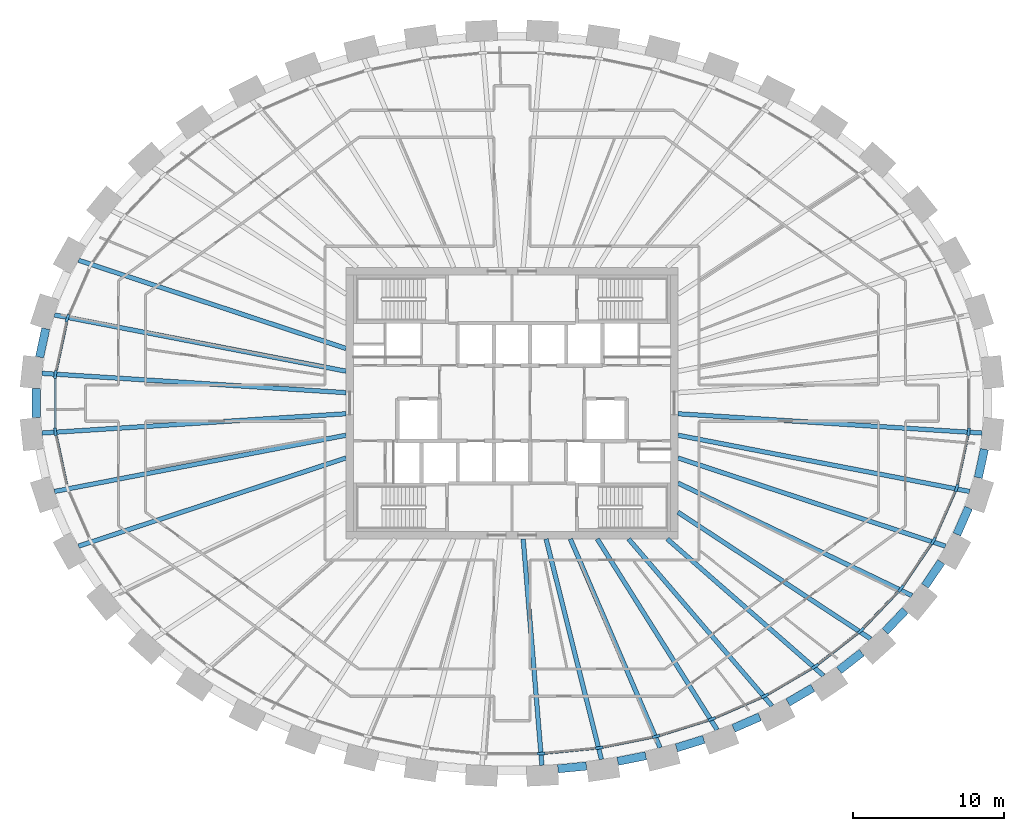
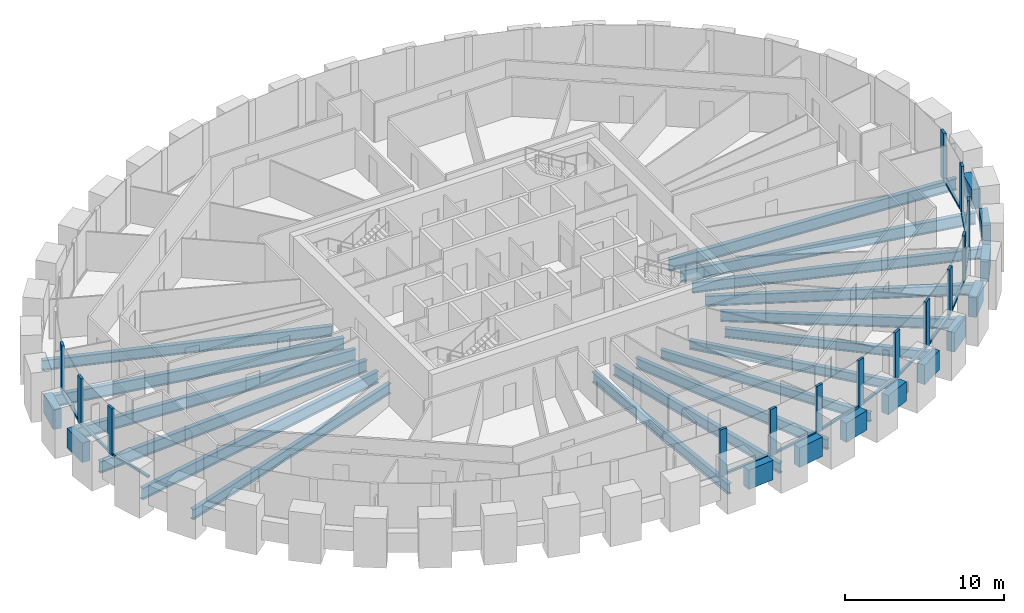
# One storey, part 2 of 12: 29 beams, 27 members, 1 element without a shape of its own.
"""IFC4 building model written with IfcOpenShell, lengths in metres."""

from ifc_helpers import new_model, si_unit, direction, frame, origin, origin_2d, place, context, subcontext, project, spatial, rectangle, i_section, extrude, source, transform, mapped, material, material_profile, profile_set, type_object, element, aggregate, save


model = new_model("IFC4")

# Units and contexts
model_context = context("Model", 3, precision=1e-05, world=origin(), true_north=direction((0.0, 1.0)))
body_context = subcontext(model_context, "Body", "Model", "MODEL_VIEW")
ifc_project = project(units=[si_unit("LENGTHUNIT", "METRE"), si_unit("AREAUNIT", "SQUARE_METRE"), si_unit("VOLUMEUNIT", "CUBIC_METRE"), si_unit("PLANEANGLEUNIT", "RADIAN"), si_unit("MASSUNIT", "GRAM", prefix="KILO")], contexts=[model_context])

# Site, building, storey
site_placement = place(None, origin())
site = spatial("IfcSite", under=ifc_project, at=site_placement, CompositionType="ELEMENT")
building_placement = place(site_placement, origin())
building = spatial("IfcBuilding", under=site, at=building_placement, Name="Embergate Tower", CompositionType="ELEMENT")
storey_placement = place(building_placement, frame((0.0, 0.0, 285.10009765625)))
storey = spatial("IfcBuildingStorey", under=building, at=storey_placement, Name="L66", CompositionType="ELEMENT", Elevation=285.10009765625)

# Beams
ifc_material_1 = material(Name="Concrete C60", Category="concrete")
ifc_material_profile_1 = material_profile(ifc_material_1, rectangle(XDim=0.550048828125, YDim=1.5, at=origin_2d()), Name="RC 550x1500")
ifc_profile_set_1 = profile_set([ifc_material_profile_1], Name="Concrete C60")
beam_type_1 = type_object("IfcBeamType", Name="Spandrel beam RC 550x1500 C60", PredefinedType="BEAM", material=ifc_profile_set_1)
shared_shape_1 = source(origin(), body_context, "Body", "SweptSolid", [
    extrude(rectangle(XDim=0.550048828125, YDim=1.5, at=origin_2d()), origin(), (0.0, 0.0, 1.0), 1.927978515625),
])
for number, where, z_axis, x_axis, name in (
    (1, (-30.9150390625, 4.93701171875, 0.0), (-0.210073860291, -0.97768551857, 0.0), (0.97768551857, -0.210073860291, 0.0), "SPN-L66-20"),
    (2, (30.9150390625, -4.93701171875, 0.0), (0.210073860291, 0.97768551857, 0.0), (-0.97768551857, 0.210073860291, 0.0), "SPN-L66-42"),
):
    element("IfcBeam", number, at=place(storey_placement, frame(where, z_axis=z_axis, x_axis=x_axis)), inside=storey, type_object=beam_type_1, Name=name, PredefinedType="BEAM", context=body_context, shape_type="MappedRepresentation", body=[
        mapped(shared_shape_1, transform((0.0, 0.0, 0.0))),
    ])
shared_shape_2 = source(origin(), body_context, "Body", "SweptSolid", [
    extrude(rectangle(XDim=0.550048828125, YDim=1.5, at=origin_2d()), origin(), (0.0, 0.0, 1.0), 1.924560546875),
])
beam_1_placement = place(storey_placement, frame((29.4951171875, -8.697021484375, 0.0), z_axis=(0.402156084764, 0.91557112421, 0.0), x_axis=(-0.91557112421, 0.402156084764, 0.0)))
element("IfcBeam", 3, at=beam_1_placement, inside=storey, type_object=beam_type_1, Name="SPN-L66-41", PredefinedType="BEAM", context=body_context, shape_type="MappedRepresentation", body=[
    mapped(shared_shape_2, transform((0.0, 0.0, 0.0))),
])
shared_shape_3 = source(origin(), body_context, "Body", "SweptSolid", [
    extrude(rectangle(XDim=0.550048828125, YDim=1.5, at=origin_2d()), origin(), (0.0, 0.0, 1.0), 1.91455078125),
])
beam_2_placement = place(storey_placement, frame((27.384033203125, -12.10791015625, 0.0), z_axis=(0.562473939822, 0.826815013785, 0.0), x_axis=(-0.826815013785, 0.562473939822, 0.0)))
element("IfcBeam", 4, at=beam_2_placement, inside=storey, type_object=beam_type_1, Name="SPN-L66-40", PredefinedType="BEAM", context=body_context, shape_type="MappedRepresentation", body=[
    mapped(shared_shape_3, transform((0.0, 0.0, 0.0))),
])
shared_shape_4 = source(origin(), body_context, "Body", "SweptSolid", [
    extrude(rectangle(XDim=0.550048828125, YDim=1.5, at=origin_2d()), origin(), (0.0, 0.0, 1.0), 1.913330078125),
])
beam_3_placement = place(storey_placement, frame((24.743896484375, -15.1259765625, 0.0), z_axis=(0.690454502374, 0.723375822206, 0.0), x_axis=(-0.723375822206, 0.690454502374, 0.0)))
element("IfcBeam", 5, at=beam_3_placement, inside=storey, type_object=beam_type_1, Name="SPN-L66-39", PredefinedType="BEAM", context=body_context, shape_type="MappedRepresentation", body=[
    mapped(shared_shape_4, transform((0.0, 0.0, 0.0))),
])
shared_shape_5 = source(origin(), body_context, "Body", "SweptSolid", [
    extrude(rectangle(XDim=0.550048828125, YDim=1.5, at=origin_2d()), origin(), (0.0, 0.0, 1.0), 1.907958984375),
])
beam_4_placement = place(storey_placement, frame((21.68408203125, -17.7099609375, 0.0), z_axis=(0.788241602778, 0.615365887623, 0.0), x_axis=(-0.615365887623, 0.788241602778, 0.0)))
element("IfcBeam", 6, at=beam_4_placement, inside=storey, type_object=beam_type_1, Name="SPN-L66-38", PredefinedType="BEAM", context=body_context, shape_type="MappedRepresentation", body=[
    mapped(shared_shape_5, transform((0.0, 0.0, 0.0))),
])
shared_shape_6 = source(origin(), body_context, "Body", "SweptSolid", [
    extrude(rectangle(XDim=0.550048828125, YDim=1.5, at=origin_2d()), origin(), (0.0, 0.0, 1.0), 1.90234375),
])
beam_5_placement = place(storey_placement, frame((18.2958984375, -19.837890625, 0.0), z_axis=(0.862145280572, 0.506661144343, 0.0), x_axis=(-0.506661144343, 0.862145280572, 0.0)))
element("IfcBeam", 7, at=beam_5_placement, inside=storey, type_object=beam_type_1, Name="SPN-L66-37", PredefinedType="BEAM", context=body_context, shape_type="MappedRepresentation", body=[
    mapped(shared_shape_6, transform((0.0, 0.0, 0.0))),
])
shared_shape_7 = source(origin(), body_context, "Body", "SweptSolid", [
    extrude(rectangle(XDim=0.550048828125, YDim=1.5, at=origin_2d()), origin(), (0.0, 0.0, 1.0), 1.89990234375),
])
beam_6_placement = place(storey_placement, frame((14.68408203125, -21.553955078125, 0.0), z_axis=(0.916289991501, 0.400515482192, 0.0), x_axis=(-0.400515482192, 0.916289991501, 0.0)))
element("IfcBeam", 8, at=beam_6_placement, inside=storey, type_object=beam_type_1, Name="SPN-L66-36", PredefinedType="BEAM", context=body_context, shape_type="MappedRepresentation", body=[
    mapped(shared_shape_7, transform((0.0, 0.0, 0.0))),
])
shared_shape_8 = source(origin(), body_context, "Body", "SweptSolid", [
    extrude(rectangle(XDim=0.550048828125, YDim=1.5, at=origin_2d()), origin(), (0.0, 0.0, 1.0), 1.898681640625),
])
beam_7_placement = place(storey_placement, frame((10.904052734375, -22.85205078125, 0.0), z_axis=(0.954868123024, 0.297030078667, 0.0), x_axis=(-0.297030078667, 0.954868123024, 0.0)))
element("IfcBeam", 9, at=beam_7_placement, inside=storey, type_object=beam_type_1, Name="SPN-L66-35", PredefinedType="BEAM", context=body_context, shape_type="MappedRepresentation", body=[
    mapped(shared_shape_8, transform((0.0, 0.0, 0.0))),
])
shared_shape_9 = source(origin(), body_context, "Body", "SweptSolid", [
    extrude(rectangle(XDim=0.550048828125, YDim=1.5, at=origin_2d()), origin(), (0.0, 0.0, 1.0), 1.895751953125),
])
beam_8_placement = place(storey_placement, frame((7.010009765625, -23.743896484375, 0.0), z_axis=(0.980575722075, 0.196140901592, 0.0), x_axis=(-0.196140901592, 0.980575722075, 0.0)))
element("IfcBeam", 10, at=beam_8_placement, inside=storey, type_object=beam_type_1, Name="SPN-L66-34", PredefinedType="BEAM", context=body_context, shape_type="MappedRepresentation", body=[
    mapped(shared_shape_9, transform((0.0, 0.0, 0.0))),
])
shared_shape_10 = source(origin(), body_context, "Body", "SweptSolid", [
    extrude(rectangle(XDim=0.550048828125, YDim=1.5, at=origin_2d()), origin(), (0.0, 0.0, 1.0), 1.896240234375),
])
beam_9_placement = place(storey_placement, frame((3.0458984375, -24.239990234375, 0.0), z_axis=(0.995176416472, 0.098101478571, 0.0), x_axis=(-0.098101478571, 0.995176416472, 0.0)))
element("IfcBeam", 11, at=beam_9_placement, inside=storey, type_object=beam_type_1, Name="SPN-L66-33", PredefinedType="BEAM", context=body_context, shape_type="MappedRepresentation", body=[
    mapped(shared_shape_10, transform((0.0, 0.0, 0.0))),
])
shared_shape_11 = source(origin(), body_context, "Body", "SweptSolid", [
    extrude(rectangle(XDim=0.550048828125, YDim=1.5, at=origin_2d()), origin(), (0.0, 0.0, 1.0), 1.92822265625),
])
beam_10_placement = place(storey_placement, frame((-31.5419921875, 0.964111328125, 0.0), z_axis=(0.0, -1.0, 0.0), x_axis=(1.0, 0.0, 0.0)))
element("IfcBeam", 12, at=beam_10_placement, inside=storey, type_object=beam_type_1, Name="SPN-L66-21", PredefinedType="BEAM", context=body_context, shape_type="MappedRepresentation", body=[
    mapped(shared_shape_11, transform((0.0, 0.0, 0.0))),
])
ifc_material_2 = material(Name="Steel Q355B", Category="steel")
ifc_material_profile_2 = material_profile(ifc_material_2, i_section(OverallWidth=0.300048828125, OverallDepth=0.89990234375, WebThickness=0.01611328125, FlangeThickness=0.028076171875, FilletRadius=0.028076171875, at=origin_2d()), Name="HN 900x300x16x28")
ifc_profile_set_2 = profile_set([ifc_material_profile_2], Name="Steel Q355 grade B")
beam_type_2 = type_object("IfcBeamType", Name="Radial girder HN 900x300x16x28", PredefinedType="BEAM", material=ifc_profile_set_2)
shared_shape_12 = source(origin(), body_context, "Body", "SweptSolid", [
    extrude(i_section(OverallWidth=0.300048828125, OverallDepth=0.89990234375, WebThickness=0.01611328125, FlangeThickness=0.028076171875, FilletRadius=0.028076171875, at=origin_2d()), origin(), (0.0, 0.0, 1.0), 20.20751953125),
])
for number, where, z_axis, x_axis, name in (
    (13, (-31.1669921875, 1.97998046875, -0.650146484375), (0.997988693818, -0.063392168375, 0.0), (0.063392168375, 0.997988693818, 0.0), "GIR-L66-21"),
    (14, (-31.1669921875, -1.97998046875, -0.650146484375), (0.997988693818, 0.063392168375, 0.0), (-0.063392168375, 0.997988693818, 0.0), "GIR-L66-22"),
    (15, (31.1669921875, -1.97998046875, -0.650146484375), (-0.997988693818, 0.063392168375, 0.0), (-0.063392168375, -0.997988693818, 0.0), "GIR-L66-43"),
):
    element("IfcBeam", number, at=place(storey_placement, frame(where, z_axis=z_axis, x_axis=x_axis)), inside=storey, type_object=beam_type_2, Name=name, PredefinedType="BEAM", context=body_context, shape_type="MappedRepresentation", body=[
        mapped(shared_shape_12, transform((0.0, 0.0, 0.0))),
    ])
shared_shape_13 = source(origin(), body_context, "Body", "SweptSolid", [
    extrude(i_section(OverallWidth=0.300048828125, OverallDepth=0.89990234375, WebThickness=0.01611328125, FlangeThickness=0.028076171875, FilletRadius=0.028076171875, at=origin_2d()), origin(), (0.0, 0.0, 1.0), 19.6904296875),
])
for number, where, z_axis, x_axis, name in (
    (16, (-30.333984375, 5.85205078125, -0.650146484375), (0.981894135389, -0.189430480358, 0.0), (0.189430480358, 0.981894135389, 0.0), "GIR-L66-20"),
    (17, (-30.333984375, -5.85205078125, -0.650146484375), (0.981894135389, 0.189430480358, 0.0), (-0.189430480358, 0.981894135389, 0.0), "GIR-L66-23"),
    (18, (30.333984375, -5.85205078125, -0.650146484375), (-0.981894135389, 0.189430480358, 0.0), (-0.189430480358, -0.981894135389, 0.0), "GIR-L66-42"),
):
    element("IfcBeam", number, at=place(storey_placement, frame(where, z_axis=z_axis, x_axis=x_axis)), inside=storey, type_object=beam_type_2, Name=name, PredefinedType="BEAM", context=body_context, shape_type="MappedRepresentation", body=[
        mapped(shared_shape_13, transform((0.0, 0.0, 0.0))),
    ])
ifc_material_profile_3 = material_profile(ifc_material_2, i_section(OverallWidth=0.300048828125, OverallDepth=0.800048828125, WebThickness=0.013916015625, FlangeThickness=0.02587890625, FilletRadius=0.028076171875, at=origin_2d()), Name="HN 800x300x14x26")
ifc_profile_set_3 = profile_set([ifc_material_profile_3], Name="Steel Q355 grade B")
beam_type_3 = type_object("IfcBeamType", Name="Radial girder HN 800x300x14x26", PredefinedType="BEAM", material=ifc_profile_set_3)
shared_shape_14 = source(origin(), body_context, "Body", "SweptSolid", [
    extrude(i_section(OverallWidth=0.300048828125, OverallDepth=0.800048828125, WebThickness=0.013916015625, FlangeThickness=0.02587890625, FilletRadius=0.028076171875, at=origin_2d()), origin(), (0.0, 0.0, 1.0), 18.681884765625),
])
for number, where, z_axis, x_axis, name in (
    (19, (-28.741943359375, 9.47900390625, -0.60009765625), (0.949688639477, -0.313195606689, 0.0), (0.313195606689, 0.949688639477, 0.0), "GIR-L66-19"),
    (20, (-28.741943359375, -9.47900390625, -0.60009765625), (0.949688639477, 0.313195606689, 0.0), (-0.313195606689, 0.949688639477, 0.0), "GIR-L66-24"),
    (21, (28.741943359375, -9.47900390625, -0.60009765625), (-0.949688639477, 0.313195606689, 0.0), (-0.313195606689, -0.949688639477, 0.0), "GIR-L66-41"),
):
    element("IfcBeam", number, at=place(storey_placement, frame(where, z_axis=z_axis, x_axis=x_axis)), inside=storey, type_object=beam_type_3, Name=name, PredefinedType="BEAM", context=body_context, shape_type="MappedRepresentation", body=[
        mapped(shared_shape_14, transform((0.0, 0.0, 0.0))),
    ])
shared_shape_15 = source(origin(), body_context, "Body", "SweptSolid", [
    extrude(i_section(OverallWidth=0.300048828125, OverallDepth=0.800048828125, WebThickness=0.013916015625, FlangeThickness=0.02587890625, FilletRadius=0.028076171875, at=origin_2d()), origin(), (0.0, 0.0, 1.0), 17.216552734375),
])
beam_11_placement = place(storey_placement, frame((26.514892578125, -12.7548828125, -0.60009765625), z_axis=(-0.90116604055, 0.433474067689, 0.0), x_axis=(-0.433474067689, -0.90116604055, 0.0)))
element("IfcBeam", 22, at=beam_11_placement, inside=storey, type_object=beam_type_3, Name="GIR-L66-40", PredefinedType="BEAM", context=body_context, shape_type="MappedRepresentation", body=[
    mapped(shared_shape_15, transform((0.0, 0.0, 0.0))),
])
shared_shape_16 = source(origin(), body_context, "Body", "SweptSolid", [
    extrude(i_section(OverallWidth=0.300048828125, OverallDepth=0.800048828125, WebThickness=0.013916015625, FlangeThickness=0.02587890625, FilletRadius=0.028076171875, at=origin_2d()), origin(), (0.0, 0.0, 1.0), 15.29052734375),
])
beam_12_placement = place(storey_placement, frame((23.779052734375, -15.623046875, -0.60009765625), z_axis=(-0.835755516173, 0.549101736645, 0.0), x_axis=(-0.549101736645, -0.835755516173, 0.0)))
element("IfcBeam", 23, at=beam_12_placement, inside=storey, type_object=beam_type_3, Name="GIR-L66-39", PredefinedType="BEAM", context=body_context, shape_type="MappedRepresentation", body=[
    mapped(shared_shape_16, transform((0.0, 0.0, 0.0))),
])
ifc_material_profile_4 = material_profile(ifc_material_2, i_section(OverallWidth=0.300048828125, OverallDepth=0.699951171875, WebThickness=0.012939453125, FlangeThickness=0.02392578125, FilletRadius=0.01806640625, at=origin_2d()), Name="HN 700x300x13x24")
ifc_profile_set_4 = profile_set([ifc_material_profile_4], Name="Steel Q355 grade B")
beam_type_4 = type_object("IfcBeamType", Name="Radial girder HN 700x300x13x24", PredefinedType="BEAM", material=ifc_profile_set_4)
shared_shape_17 = source(origin(), body_context, "Body", "SweptSolid", [
    extrude(i_section(OverallWidth=0.300048828125, OverallDepth=0.699951171875, WebThickness=0.012939453125, FlangeThickness=0.02392578125, FilletRadius=0.01806640625, at=origin_2d()), origin(), (0.0, 0.0, 1.0), 13.767822265625),
])
beam_13_placement = place(storey_placement, frame((20.655029296875, -18.06298828125, -0.550048828125), z_axis=(-0.752775487565, 0.658277346809, 0.0), x_axis=(-0.658277346809, -0.752775487565, 0.0)))
element("IfcBeam", 24, at=beam_13_placement, inside=storey, type_object=beam_type_4, Name="GIR-L66-38", PredefinedType="BEAM", context=body_context, shape_type="MappedRepresentation", body=[
    mapped(shared_shape_17, transform((0.0, 0.0, 0.0))),
])
shared_shape_18 = source(origin(), body_context, "Body", "SweptSolid", [
    extrude(i_section(OverallWidth=0.300048828125, OverallDepth=0.699951171875, WebThickness=0.012939453125, FlangeThickness=0.02392578125, FilletRadius=0.01806640625, at=origin_2d()), origin(), (0.0, 0.0, 1.0), 14.59423828125),
])
beam_14_placement = place(storey_placement, frame((17.237060546875, -20.072021484375, -0.550048828125), z_axis=(-0.651492316214, 0.758655232575, 0.0), x_axis=(-0.758655232575, -0.651492316214, 0.0)))
element("IfcBeam", 25, at=beam_14_placement, inside=storey, type_object=beam_type_4, Name="GIR-L66-37", PredefinedType="BEAM", context=body_context, shape_type="MappedRepresentation", body=[
    mapped(shared_shape_18, transform((0.0, 0.0, 0.0))),
])
shared_shape_19 = source(origin(), body_context, "Body", "SweptSolid", [
    extrude(i_section(OverallWidth=0.300048828125, OverallDepth=0.699951171875, WebThickness=0.012939453125, FlangeThickness=0.02392578125, FilletRadius=0.01806640625, at=origin_2d()), origin(), (0.0, 0.0, 1.0), 14.94970703125),
])
beam_15_placement = place(storey_placement, frame((13.60400390625, -21.659912109375, -0.550048828125), z_axis=(-0.531848758453, 0.846839357926, 0.0), x_axis=(-0.846839357926, -0.531848758453, 0.0)))
element("IfcBeam", 26, at=beam_15_placement, inside=storey, type_object=beam_type_4, Name="GIR-L66-36", PredefinedType="BEAM", context=body_context, shape_type="MappedRepresentation", body=[
    mapped(shared_shape_19, transform((0.0, 0.0, 0.0))),
])
shared_shape_20 = source(origin(), body_context, "Body", "SweptSolid", [
    extrude(i_section(OverallWidth=0.300048828125, OverallDepth=0.800048828125, WebThickness=0.013916015625, FlangeThickness=0.02587890625, FilletRadius=0.028076171875, at=origin_2d()), origin(), (0.0, 0.0, 1.0), 15.064453125),
])
beam_16_placement = place(storey_placement, frame((9.818115234375, -22.840087890625, -0.60009765625), z_axis=(-0.394914636063, 0.918717818605, 0.0), x_axis=(-0.918717818605, -0.394914636063, 0.0)))
element("IfcBeam", 27, at=beam_16_placement, inside=storey, type_object=beam_type_3, Name="GIR-L66-35", PredefinedType="BEAM", context=body_context, shape_type="MappedRepresentation", body=[
    mapped(shared_shape_20, transform((0.0, 0.0, 0.0))),
])
shared_shape_21 = source(origin(), body_context, "Body", "SweptSolid", [
    extrude(i_section(OverallWidth=0.300048828125, OverallDepth=0.800048828125, WebThickness=0.013916015625, FlangeThickness=0.02587890625, FilletRadius=0.028076171875, at=origin_2d()), origin(), (0.0, 0.0, 1.0), 15.072509765625),
])
beam_17_placement = place(storey_placement, frame((5.929931640625, -23.618896484375, -0.60009765625), z_axis=(-0.243484506306, 0.969904786662, 0.0), x_axis=(-0.969904786662, -0.243484506306, 0.0)))
element("IfcBeam", 28, at=beam_17_placement, inside=storey, type_object=beam_type_3, Name="GIR-L66-34", PredefinedType="BEAM", context=body_context, shape_type="MappedRepresentation", body=[
    mapped(shared_shape_21, transform((0.0, 0.0, 0.0))),
])
shared_shape_22 = source(origin(), body_context, "Body", "SweptSolid", [
    extrude(i_section(OverallWidth=0.300048828125, OverallDepth=0.800048828125, WebThickness=0.013916015625, FlangeThickness=0.02587890625, FilletRadius=0.028076171875, at=origin_2d()), origin(), (0.0, 0.0, 1.0), 15.05908203125),
])
beam_18_placement = place(storey_placement, frame((1.98291015625, -24.008056640625, -0.60009765625), z_axis=(-0.082341072881, 0.996604208157, 0.0), x_axis=(-0.996604208157, -0.082341072881, 0.0)))
element("IfcBeam", 29, at=beam_18_placement, inside=storey, type_object=beam_type_3, Name="GIR-L66-33", PredefinedType="BEAM", context=body_context, shape_type="MappedRepresentation", body=[
    mapped(shared_shape_22, transform((0.0, 0.0, 0.0))),
])

# Curtain wall, members
ifc_material_3 = material(Name="Aluminium and glass", Category="aluminium")
curtain_wall_type = type_object("IfcCurtainWallType", Name="Recessed office glazing", PredefinedType="NOTDEFINED", material=ifc_material_3)
curtain_wall_placement = place(storey_placement, origin())
curtain_wall = element("IfcCurtainWall", 30, at=curtain_wall_placement, inside=storey, type_object=curtain_wall_type, Name="Recessed office glazing ring", ObjectType="RECESSED OFFICE GLAZING", PredefinedType="USERDEFINED")
ifc_material_4 = material(Name="Aluminium, thermally broken", Category="aluminium")
ifc_material_profile_5 = material_profile(ifc_material_4, rectangle(XDim=0.179931640625, YDim=0.52001953125, at=origin_2d()), Name="AL 520x180")
ifc_profile_set_5 = profile_set([ifc_material_profile_5], Name="Aluminium, thermally broken")
member_type_1 = type_object("IfcMemberType", Name="Office mullion", PredefinedType="MULLION", material=ifc_profile_set_5)
shared_shape_23 = source(origin(), body_context, "Body", "SweptSolid", [
    extrude(rectangle(XDim=0.179931640625, YDim=0.52001953125, at=origin_2d()), origin(), (0.0, 0.0, 1.0), 3.599853515625),
])
member_1_placement = place(storey_placement, frame((-29.47412109375, 5.635986328125, 0.0), z_axis=(0.0, 0.0, 1.0), x_axis=(0.951491354261, -0.307675482882, 0.0)))
member_1 = element("IfcMember", 31, at=member_1_placement, type_object=member_type_1, Name="CW mullion 21", PredefinedType="MULLION", context=body_context, shape_type="MappedRepresentation", body=[
    mapped(shared_shape_23, transform((0.0, 0.0, 0.0))),
])
member_2_placement = place(storey_placement, frame((-30.27685546875, 1.90625, 0.0), z_axis=(0.0, 0.0, 1.0), x_axis=(0.994384031216, -0.105831934987, 0.0)))
member_2 = element("IfcMember", 32, at=member_2_placement, type_object=member_type_1, Name="CW mullion 22", PredefinedType="MULLION", context=body_context, shape_type="MappedRepresentation", body=[
    mapped(shared_shape_23, transform((0.0, 0.0, 0.0))),
])
member_3_placement = place(storey_placement, frame((-30.27685546875, -1.90625, 0.0), z_axis=(0.0, 0.0, 1.0), x_axis=(0.994384031216, 0.105831934987, 0.0)))
member_3 = element("IfcMember", 33, at=member_3_placement, type_object=member_type_1, Name="CW mullion 23", PredefinedType="MULLION", context=body_context, shape_type="MappedRepresentation", body=[
    mapped(shared_shape_23, transform((0.0, 0.0, 0.0))),
])
member_4_placement = place(storey_placement, frame((1.931884765625, -23.230712890625, 0.0), z_axis=(0.0, 0.0, 1.0), x_axis=(-0.048970053385, 0.998800247232, 0.0)))
member_4 = element("IfcMember", 34, at=member_4_placement, type_object=member_type_1, Name="CW mullion 34", PredefinedType="MULLION", context=body_context, shape_type="MappedRepresentation", body=[
    mapped(shared_shape_23, transform((0.0, 0.0, 0.0))),
])
member_5_placement = place(storey_placement, frame((5.776611328125, -22.852783203125, 0.0), z_axis=(0.0, 0.0, 1.0), x_axis=(-0.147407204031, 0.98907589001, 0.0)))
member_5 = element("IfcMember", 35, at=member_5_placement, type_object=member_type_1, Name="CW mullion 35", PredefinedType="MULLION", context=body_context, shape_type="MappedRepresentation", body=[
    mapped(shared_shape_23, transform((0.0, 0.0, 0.0))),
])
member_6_placement = place(storey_placement, frame((9.5634765625, -22.093505859375, 0.0), z_axis=(0.0, 0.0, 1.0), x_axis=(-0.247305116915, 0.968937654933, 0.0)))
member_6 = element("IfcMember", 36, at=member_6_placement, type_object=member_type_1, Name="CW mullion 36", PredefinedType="MULLION", context=body_context, shape_type="MappedRepresentation", body=[
    mapped(shared_shape_23, transform((0.0, 0.0, 0.0))),
])
member_7_placement = place(storey_placement, frame((13.248779296875, -20.94580078125, 0.0), z_axis=(0.0, 0.0, 1.0), x_axis=(-0.349492871267, 0.93693902306, 0.0)))
member_7 = element("IfcMember", 37, at=member_7_placement, type_object=member_type_1, Name="CW mullion 37", PredefinedType="MULLION", context=body_context, shape_type="MappedRepresentation", body=[
    mapped(shared_shape_23, transform((0.0, 0.0, 0.0))),
])
member_8_placement = place(storey_placement, frame((16.782470703125, -19.400634765625, 0.0), z_axis=(0.0, 0.0, 1.0), x_axis=(-0.454498943392, 0.890747276423, 0.0)))
member_8 = element("IfcMember", 38, at=member_8_placement, type_object=member_type_1, Name="CW mullion 38", PredefinedType="MULLION", context=body_context, shape_type="MappedRepresentation", body=[
    mapped(shared_shape_23, transform((0.0, 0.0, 0.0))),
])
member_9_placement = place(storey_placement, frame((20.103271484375, -17.4482421875, 0.0), z_axis=(0.0, 0.0, 1.0), x_axis=(-0.562201741385, 0.827000122118, 0.0)))
member_9 = element("IfcMember", 39, at=member_9_placement, type_object=member_type_1, Name="CW mullion 39", PredefinedType="MULLION", context=body_context, shape_type="MappedRepresentation", body=[
    mapped(shared_shape_23, transform((0.0, 0.0, 0.0))),
])
member_10_placement = place(storey_placement, frame((23.135498046875, -15.081787109375, 0.0), z_axis=(0.0, 0.0, 1.0), x_axis=(-0.671209715303, 0.741267507775, 0.0)))
member_10 = element("IfcMember", 40, at=member_10_placement, type_object=member_type_1, Name="CW mullion 40", PredefinedType="MULLION", context=body_context, shape_type="MappedRepresentation", body=[
    mapped(shared_shape_23, transform((0.0, 0.0, 0.0))),
])
member_11_placement = place(storey_placement, frame((25.784912109375, -12.3037109375, 0.0), z_axis=(0.0, 0.0, 1.0), x_axis=(-0.777856112038, 0.628442414996, 0.0)))
member_11 = element("IfcMember", 41, at=member_11_placement, type_object=member_type_1, Name="CW mullion 41", PredefinedType="MULLION", context=body_context, shape_type="MappedRepresentation", body=[
    mapped(shared_shape_23, transform((0.0, 0.0, 0.0))),
])
member_12_placement = place(storey_placement, frame((27.93896484375, -9.13623046875, 0.0), z_axis=(0.0, 0.0, 1.0), x_axis=(-0.874988376324, 0.484143926222, 0.0)))
member_12 = element("IfcMember", 42, at=member_12_placement, type_object=member_type_1, Name="CW mullion 42", PredefinedType="MULLION", context=body_context, shape_type="MappedRepresentation", body=[
    mapped(shared_shape_23, transform((0.0, 0.0, 0.0))),
])
member_13_placement = place(storey_placement, frame((29.47412109375, -5.635986328125, 0.0), z_axis=(0.0, 0.0, 1.0), x_axis=(-0.951491354261, 0.307675482882, 0.0)))
member_13 = element("IfcMember", 43, at=member_13_placement, type_object=member_type_1, Name="CW mullion 43", PredefinedType="MULLION", context=body_context, shape_type="MappedRepresentation", body=[
    mapped(shared_shape_23, transform((0.0, 0.0, 0.0))),
])
member_14_placement = place(storey_placement, frame((30.27685546875, -1.90625, 0.0), z_axis=(0.0, 0.0, 1.0), x_axis=(-0.994384031216, 0.105831934987, 0.0)))
member_14 = element("IfcMember", 44, at=member_14_placement, type_object=member_type_1, Name="CW mullion 44", PredefinedType="MULLION", context=body_context, shape_type="MappedRepresentation", body=[
    mapped(shared_shape_23, transform((0.0, 0.0, 0.0))),
])
ifc_material_profile_6 = material_profile(ifc_material_4, rectangle(XDim=0.179931640625, YDim=0.14990234375, at=origin_2d()), Name="AL 150x180")
ifc_profile_set_6 = profile_set([ifc_material_profile_6], Name="Aluminium, thermally broken")
member_type_2 = type_object("IfcMemberType", Name="Office sill transom", PredefinedType="USERDEFINED", material=ifc_profile_set_6)
shared_shape_24 = source(origin(), body_context, "Body", "SweptSolid", [
    extrude(rectangle(XDim=0.179931640625, YDim=0.14990234375, at=origin_2d()), origin(), (0.0, 0.0, 1.0), 3.295166015625),
])
member_15_placement = place(storey_placement, frame((-29.52880859375, 5.3818359375, 0.074951171875), z_axis=(-0.210414463892, -0.977612271499, 0.0), x_axis=(0.977612271499, -0.210414463892, 0.0)))
member_15 = element("IfcMember", 45, at=member_15_placement, type_object=member_type_2, Name="CW transom 21.1", ObjectType="TRANSOM", PredefinedType="USERDEFINED", context=body_context, shape_type="MappedRepresentation", body=[
    mapped(shared_shape_24, transform((0.0, 0.0, 0.0))),
])
member_16_placement = place(storey_placement, frame((-30.22216796875, -2.160400390625, 0.074951171875), z_axis=(0.210414463892, -0.977612271499, 0.0), x_axis=(0.977612271499, 0.210414463892, 0.0)))
member_16 = element("IfcMember", 46, at=member_16_placement, type_object=member_type_2, Name="CW transom 23.1", ObjectType="TRANSOM", PredefinedType="USERDEFINED", context=body_context, shape_type="MappedRepresentation", body=[
    mapped(shared_shape_24, transform((0.0, 0.0, 0.0))),
])
member_17_placement = place(storey_placement, frame((29.52880859375, -5.3818359375, 0.074951171875), z_axis=(0.210414463892, 0.977612271499, 0.0), x_axis=(-0.977612271499, 0.210414463892, 0.0)))
member_17 = element("IfcMember", 47, at=member_17_placement, type_object=member_type_2, Name="CW transom 43.1", ObjectType="TRANSOM", PredefinedType="USERDEFINED", context=body_context, shape_type="MappedRepresentation", body=[
    mapped(shared_shape_24, transform((0.0, 0.0, 0.0))),
])
shared_shape_25 = source(origin(), body_context, "Body", "SweptSolid", [
    extrude(rectangle(XDim=0.179931640625, YDim=0.14990234375, at=origin_2d()), origin(), (0.0, 0.0, 1.0), 3.302001953125),
])
member_18_placement = place(storey_placement, frame((28.04345703125, -8.898193359375, 0.074951171875), z_axis=(0.401633209746, 0.915800614123, 0.0), x_axis=(-0.915800614123, 0.401633209746, 0.0)))
member_18 = element("IfcMember", 48, at=member_18_placement, type_object=member_type_2, Name="CW transom 42.1", ObjectType="TRANSOM", PredefinedType="USERDEFINED", context=body_context, shape_type="MappedRepresentation", body=[
    mapped(shared_shape_25, transform((0.0, 0.0, 0.0))),
])
shared_shape_26 = source(origin(), body_context, "Body", "SweptSolid", [
    extrude(rectangle(XDim=0.179931640625, YDim=0.14990234375, at=origin_2d()), origin(), (0.0, 0.0, 1.0), 3.310302734375),
])
member_19_placement = place(storey_placement, frame((25.93115234375, -12.088623046875, 0.074951171875), z_axis=(0.562352383191, 0.82689769447, 0.0), x_axis=(-0.82689769447, 0.562352383191, 0.0)))
member_19 = element("IfcMember", 49, at=member_19_placement, type_object=member_type_2, Name="CW transom 41.1", ObjectType="TRANSOM", PredefinedType="USERDEFINED", context=body_context, shape_type="MappedRepresentation", body=[
    mapped(shared_shape_26, transform((0.0, 0.0, 0.0))),
])
shared_shape_27 = source(origin(), body_context, "Body", "SweptSolid", [
    extrude(rectangle(XDim=0.179931640625, YDim=0.14990234375, at=origin_2d()), origin(), (0.0, 0.0, 1.0), 3.3193359375),
])
member_20_placement = place(storey_placement, frame((23.314697265625, -14.893798828125, 0.074951171875), z_axis=(0.690138048093, 0.723677742213, 0.0), x_axis=(-0.723677742213, 0.690138048093, 0.0)))
member_20 = element("IfcMember", 50, at=member_20_placement, type_object=member_type_2, Name="CW transom 40.1", ObjectType="TRANSOM", PredefinedType="USERDEFINED", context=body_context, shape_type="MappedRepresentation", body=[
    mapped(shared_shape_27, transform((0.0, 0.0, 0.0))),
])
shared_shape_28 = source(origin(), body_context, "Body", "SweptSolid", [
    extrude(rectangle(XDim=0.179931640625, YDim=0.14990234375, at=origin_2d()), origin(), (0.0, 0.0, 1.0), 3.326416015625),
])
member_21_placement = place(storey_placement, frame((20.30810546875, -17.288330078125, 0.074951171875), z_axis=(0.788323597631, 0.615260843398, 0.0), x_axis=(-0.615260843398, 0.788323597631, 0.0)))
member_21 = element("IfcMember", 51, at=member_21_placement, type_object=member_type_2, Name="CW transom 39.1", ObjectType="TRANSOM", PredefinedType="USERDEFINED", context=body_context, shape_type="MappedRepresentation", body=[
    mapped(shared_shape_28, transform((0.0, 0.0, 0.0))),
])
shared_shape_29 = source(origin(), body_context, "Body", "SweptSolid", [
    extrude(rectangle(XDim=0.179931640625, YDim=0.14990234375, at=origin_2d()), origin(), (0.0, 0.0, 1.0), 3.33203125),
])
member_22_placement = place(storey_placement, frame((17.006591796875, -19.268798828125, 0.074951171875), z_axis=(0.862049093097, 0.506824783421, 0.0), x_axis=(-0.506824783421, 0.862049093097, 0.0)))
member_22 = element("IfcMember", 52, at=member_22_placement, type_object=member_type_2, Name="CW transom 38.1", ObjectType="TRANSOM", PredefinedType="USERDEFINED", context=body_context, shape_type="MappedRepresentation", body=[
    mapped(shared_shape_29, transform((0.0, 0.0, 0.0))),
])
shared_shape_30 = source(origin(), body_context, "Body", "SweptSolid", [
    extrude(rectangle(XDim=0.179931640625, YDim=0.14990234375, at=origin_2d()), origin(), (0.0, 0.0, 1.0), 3.3369140625),
])
member_23_placement = place(storey_placement, frame((13.48681640625, -20.841552734375, 0.074951171875), z_axis=(0.9162597376, 0.40058468924, 0.0), x_axis=(-0.40058468924, 0.9162597376, 0.0)))
member_23 = element("IfcMember", 53, at=member_23_placement, type_object=member_type_2, Name="CW transom 37.1", ObjectType="TRANSOM", PredefinedType="USERDEFINED", context=body_context, shape_type="MappedRepresentation", body=[
    mapped(shared_shape_30, transform((0.0, 0.0, 0.0))),
])
shared_shape_31 = source(origin(), body_context, "Body", "SweptSolid", [
    extrude(rectangle(XDim=0.179931640625, YDim=0.14990234375, at=origin_2d()), origin(), (0.0, 0.0, 1.0), 3.340087890625),
])
member_24_placement = place(storey_placement, frame((9.8115234375, -22.01611328125, 0.074951171875), z_axis=(0.95478901941, 0.29728425524, 0.0), x_axis=(-0.29728425524, 0.95478901941, 0.0)))
member_24 = element("IfcMember", 54, at=member_24_placement, type_object=member_type_2, Name="CW transom 36.1", ObjectType="TRANSOM", PredefinedType="USERDEFINED", context=body_context, shape_type="MappedRepresentation", body=[
    mapped(shared_shape_31, transform((0.0, 0.0, 0.0))),
])
shared_shape_32 = source(origin(), body_context, "Body", "SweptSolid", [
    extrude(rectangle(XDim=0.179931640625, YDim=0.14990234375, at=origin_2d()), origin(), (0.0, 0.0, 1.0), 3.34228515625),
])
member_25_placement = place(storey_placement, frame((6.031494140625, -22.8017578125, 0.074951171875), z_axis=(0.980476589981, 0.196635847443, 0.0), x_axis=(-0.196635847443, 0.980476589981, 0.0)))
member_25 = element("IfcMember", 55, at=member_25_placement, type_object=member_type_2, Name="CW transom 35.1", ObjectType="TRANSOM", PredefinedType="USERDEFINED", context=body_context, shape_type="MappedRepresentation", body=[
    mapped(shared_shape_32, transform((0.0, 0.0, 0.0))),
])
shared_shape_33 = source(origin(), body_context, "Body", "SweptSolid", [
    extrude(rectangle(XDim=0.179931640625, YDim=0.14990234375, at=origin_2d()), origin(), (0.0, 0.0, 1.0), 3.34326171875),
])
member_26_placement = place(storey_placement, frame((2.190673828125, -23.205322265625, 0.074951171875), z_axis=(0.995207784906, 0.097782743175, 0.0), x_axis=(-0.097782743175, 0.995207784906, 0.0)))
member_26 = element("IfcMember", 56, at=member_26_placement, type_object=member_type_2, Name="CW transom 34.1", ObjectType="TRANSOM", PredefinedType="USERDEFINED", context=body_context, shape_type="MappedRepresentation", body=[
    mapped(shared_shape_33, transform((0.0, 0.0, 0.0))),
])
shared_shape_34 = source(origin(), body_context, "Body", "SweptSolid", [
    extrude(rectangle(XDim=0.179931640625, YDim=0.14990234375, at=origin_2d()), origin(), (0.0, 0.0, 1.0), 3.29248046875),
])
member_27_placement = place(storey_placement, frame((-30.27685546875, 1.646240234375, 0.074951171875), z_axis=(0.0, -1.0, 0.0), x_axis=(1.0, 0.0, 0.0)))
member_27 = element("IfcMember", 57, at=member_27_placement, type_object=member_type_2, Name="CW transom 22.1", ObjectType="TRANSOM", PredefinedType="USERDEFINED", context=body_context, shape_type="MappedRepresentation", body=[
    mapped(shared_shape_34, transform((0.0, 0.0, 0.0))),
])
aggregate(curtain_wall, [member_1, member_2, member_3, member_4, member_5, member_6, member_7, member_8, member_9, member_10, member_11, member_12, member_13, member_14, member_15, member_27, member_16, member_26, member_25, member_24, member_23, member_22, member_21, member_20, member_19, member_18, member_17])

save(model, "model.ifc")
